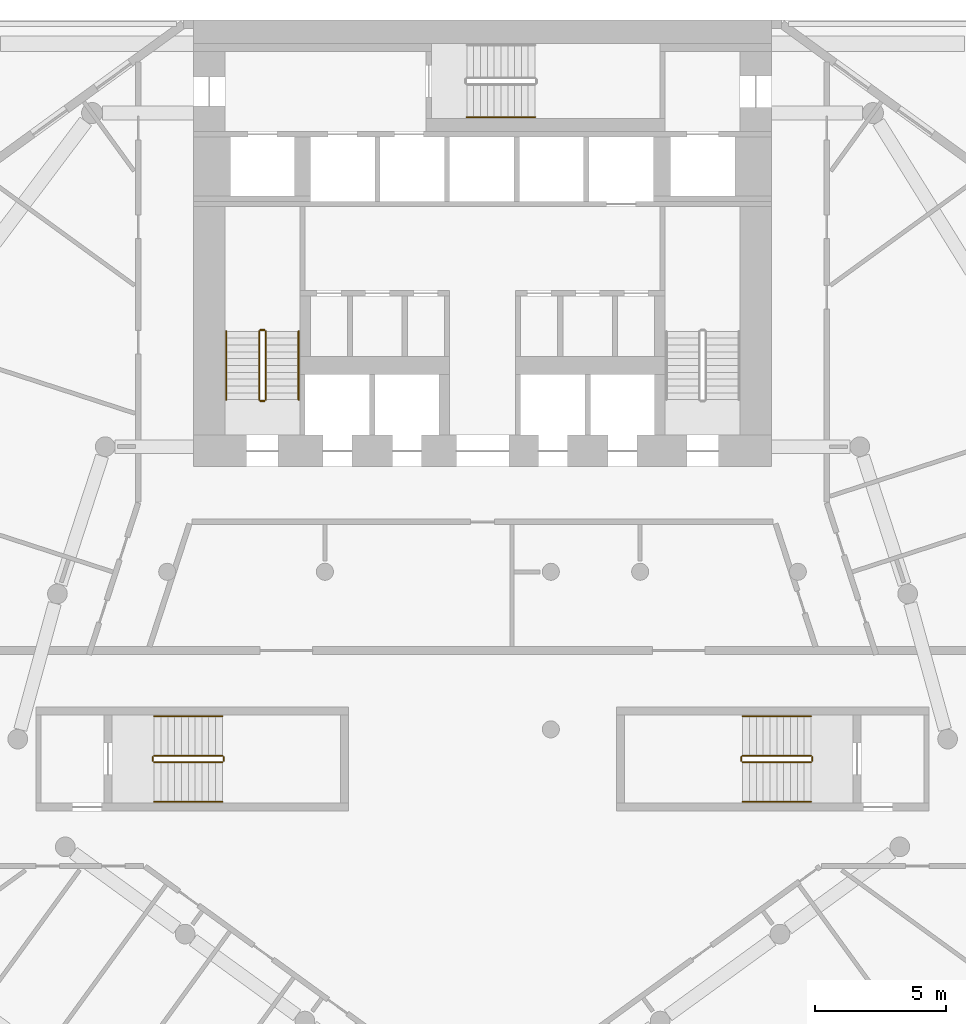
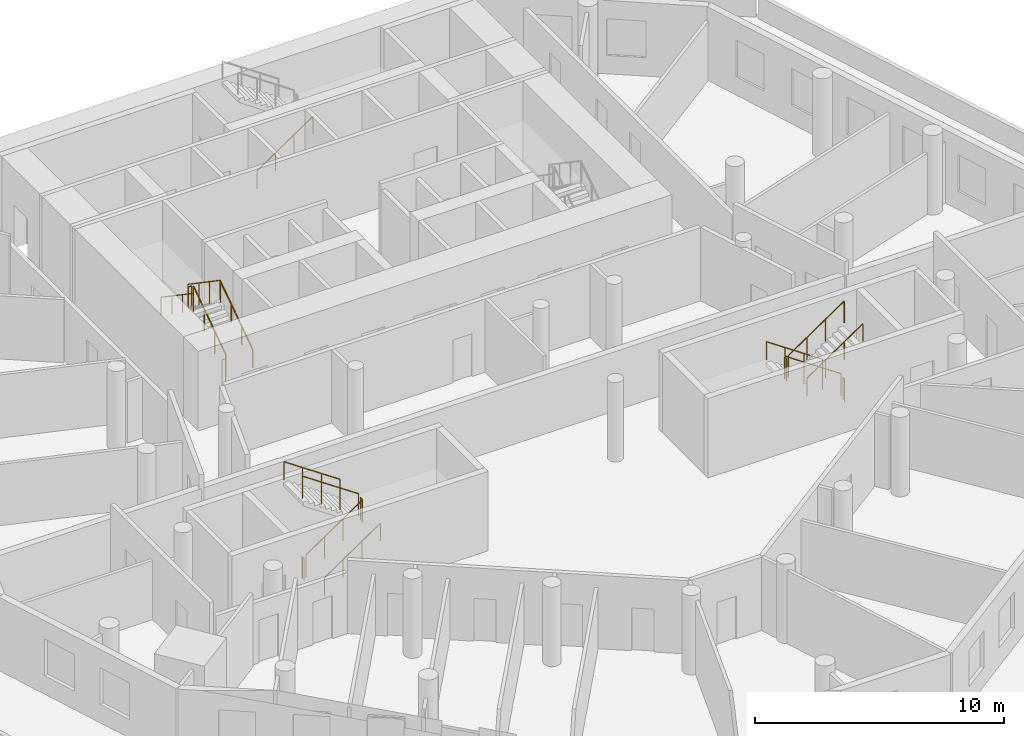
# One storey, part 9 of 10: 19 railings.
"""IFC4 building model written with IfcOpenShell, lengths in metres."""

import ifcopenshell
import ifcopenshell.guid

model = None  # the IFC model being written
_history = None  # IfcOwnerHistory: only IFC2X3 demands one
_inside = {}  # id of a spatial element -> (the spatial element, [elements in it])
_under = {}  # id of a project, library or spatial element -> (it, [spatial elements below it])
_declared = {}  # id of a project -> (the project, [libraries it declares])
_typed = {}  # id of a type object -> (the type object, [elements of that type])
_made_of = {}  # id of a material, layer set ... -> (it, [elements and type objects made of it])


def new_model(schema):
    """Start an empty IFC model of exactly this schema.

    Asked for "IFC4X3", IfcOpenShell would pick the latest addendum, in which some entities
    have other attributes; the version numbers below select the first issue.
    IFC2X3 requires an IfcOwnerHistory on every rooted entity: one is made here for all.
    """
    global model, _history
    if schema == "IFC4X3":
        model = ifcopenshell.file(schema_version=(4, 3, 0, 0))
    else:
        model = ifcopenshell.file(schema=schema)
    _inside.clear()
    _under.clear()
    _declared.clear()
    _typed.clear()
    _made_of.clear()
    _history = None
    if model.schema == "IFC2X3":
        org = make("IfcOrganization", Name="unknown")
        user = make(
            "IfcPersonAndOrganization",
            ThePerson=make("IfcPerson", FamilyName="unknown"),
            TheOrganization=org,
        )
        app = make(
            "IfcApplication",
            ApplicationDeveloper=org,
            Version="unknown",
            ApplicationFullName="unknown",
            ApplicationIdentifier="unknown",
        )
        _history = make(
            "IfcOwnerHistory",
            OwningUser=user,
            OwningApplication=app,
            ChangeAction="ADDED",
            CreationDate=0,
        )
    return model


def make(cls, **values):
    """One entity of the class cls with the attributes given. An attribute that is None is left unset."""
    return model.create_entity(
        cls, **{name: value for name, value in values.items() if value is not None}
    )


def rooted(cls, **values):
    """An entity with a GlobalId (a new one), such as an element, a storey or a relation."""
    return make(cls, GlobalId=ifcopenshell.guid.new(), OwnerHistory=_history, **values)


def si_unit(unit_type, name, prefix=None):
    """IfcSIUnit, for example si_unit("LENGTHUNIT", "METRE", prefix="MILLI")."""
    return make("IfcSIUnit", UnitType=unit_type, Prefix=prefix, Name=name)


def assignment(units):
    """IfcUnitAssignment: the units of a project."""
    return None if units is None else make("IfcUnitAssignment", Units=units)


def point(xyz):
    """IfcCartesianPoint."""
    return None if xyz is None else make("IfcCartesianPoint", Coordinates=xyz)


def direction(xyz):
    """IfcDirection."""
    return None if xyz is None else make("IfcDirection", DirectionRatios=xyz)


def frame(location, z_axis=None, x_axis=None):
    """IfcAxis2Placement3D, a coordinate frame: its origin and axes. An axis left out is left unset."""
    return make(
        "IfcAxis2Placement3D",
        Location=point(location),
        Axis=direction(z_axis),
        RefDirection=direction(x_axis),
    )


def frame_2d(location, x_axis=None):
    """IfcAxis2Placement2D, a coordinate frame in the plane: its origin and x axis."""
    return make(
        "IfcAxis2Placement2D", Location=point(location), RefDirection=direction(x_axis)
    )


def origin():
    """The frame at (0, 0, 0) with its axes left unset."""
    return frame((0.0, 0.0, 0.0))


def origin_2d():
    """The frame at (0, 0) in the plane with its x axis left unset."""
    return frame_2d((0.0, 0.0))


def place(relative_to, where):
    """IfcLocalPlacement: puts the frame where relative to a parent placement (None: the world)."""
    return make(
        "IfcLocalPlacement", PlacementRelTo=relative_to, RelativePlacement=where
    )


def context(
    kind, dimensions, precision=None, world=None, true_north=None, identifier=None
):
    """IfcGeometricRepresentationContext, for example the 3D "Model" context."""
    return make(
        "IfcGeometricRepresentationContext",
        ContextIdentifier=identifier,
        ContextType=kind,
        CoordinateSpaceDimension=dimensions,
        Precision=precision,
        WorldCoordinateSystem=world,
        TrueNorth=true_north,
    )


def subcontext(parent, identifier, kind, view, scale=None):
    """IfcGeometricRepresentationSubContext, for example "Body" below "Model"."""
    return make(
        "IfcGeometricRepresentationSubContext",
        ContextIdentifier=identifier,
        ContextType=kind,
        ParentContext=parent,
        TargetScale=scale,
        TargetView=view,
    )


def project(units=None, contexts=None):
    """IfcProject with its units and contexts."""
    return rooted(
        "IfcProject",
        Name="project",
        RepresentationContexts=contexts,
        UnitsInContext=assignment(units),
    )


def spatial(cls, under=None, at=None, **own):
    """A site, building, storey or space (cls), placed at a placement, below another one or the project."""
    s = rooted(cls, ObjectPlacement=at, **own)
    if under is not None:
        _under.setdefault(under.id(), (under, []))[1].append(s)
    return s


def profile(cls, at=None, kind="AREA", **sizes):
    """A parametric profile (cls). Its sizes go by their IFC names, for example OverallWidth=200.0."""
    return make(cls, ProfileType=kind, Position=at, **sizes)


def circle(**sizes):
    """IfcCircleProfileDef."""
    return profile("IfcCircleProfileDef", **sizes)


def extrude(swept, where, along, depth):
    """IfcExtrudedAreaSolid: the profile swept, set in the frame where, extruded along a direction by depth."""
    return make(
        "IfcExtrudedAreaSolid",
        SweptArea=swept,
        Position=where,
        ExtrudedDirection=direction(along),
        Depth=depth,
    )


def shape(context_of_items, identifier, shape_type, items):
    """IfcShapeRepresentation: the items that make up one representation, for example the "Body"."""
    return make(
        "IfcShapeRepresentation",
        ContextOfItems=context_of_items,
        RepresentationIdentifier=identifier,
        RepresentationType=shape_type,
        Items=items,
    )


def material(Name=None, Category=None):
    """IfcMaterial."""
    return make("IfcMaterial", Name=Name, Category=Category)


def made_of(thing, what):
    """Note that an element or type object is made of a material, layer set ...; save() writes the relation."""
    if what is not None:
        _made_of.setdefault(what.id(), (what, []))[1].append(thing)
    return thing


def type_object(cls, material=None, **own):
    """A type object (cls), such as IfcWallType, which elements share."""
    return made_of(rooted(cls, **own), material)


def element(
    cls,
    number,
    at=None,
    inside=None,
    cuts=None,
    type_object=None,
    material=None,
    context=None,
    identifier="Body",
    shape_type=None,
    held_by="IfcProductDefinitionShape",
    body=None,
    shapes=None,
    **own,
):
    """One element of the class cls, such as IfcWall. Its Tag is "e" and its number.

    at: its placement. inside: the storey or other place that contains it. cuts: it is an
    opening in that element (IfcRelVoidsElement). A single representation is given by context,
    identifier, shape_type and body (its items); several are given by shapes. held_by: the class
    of the entity that holds the representations. save() writes the other relations.
    """
    e = rooted(cls, Tag="e%d" % number, ObjectPlacement=at, **own)
    if body is not None:
        shapes = [shape(context, identifier, shape_type, body)]
    if shapes is not None:
        e.Representation = make(held_by, Representations=shapes)
    if inside is not None:
        _inside.setdefault(inside.id(), (inside, []))[1].append(e)
    if cuts is not None:
        rooted(
            "IfcRelVoidsElement", RelatingBuildingElement=cuts, RelatedOpeningElement=e
        )
    if type_object is not None:
        _typed.setdefault(type_object.id(), (type_object, []))[1].append(e)
    return made_of(e, material)


def aggregate(whole, parts):
    """IfcRelAggregates: a whole, such as a stair, and the parts it consists of."""
    return rooted("IfcRelAggregates", RelatingObject=whole, RelatedObjects=parts)


def save(model, path):
    """Write the relations noted so far, then the file.

    IfcRelAggregates (storeys below a building ...), IfcRelContainedInSpatialStructure (elements
    in a storey), IfcRelDefinesByType, IfcRelAssociatesMaterial and IfcRelDeclares: one each for
    every whole, place, type object, material and project.
    """
    for whole, parts in _under.values():
        aggregate(whole, parts)
    for where, things in _inside.values():
        rooted(
            "IfcRelContainedInSpatialStructure",
            RelatedElements=things,
            RelatingStructure=where,
        )
    for kind, things in _typed.values():
        rooted("IfcRelDefinesByType", RelatedObjects=things, RelatingType=kind)
    for what, things in _made_of.values():
        rooted("IfcRelAssociatesMaterial", RelatedObjects=things, RelatingMaterial=what)
    for by, libraries in _declared.values():
        rooted("IfcRelDeclares", RelatingContext=by, RelatedDefinitions=libraries)
    model.write(path)


model = new_model("IFC4")

# Units and contexts
model_context = context("Model", 3, precision=1e-05, world=origin(), true_north=direction((0.0, 1.0)))
body_context = subcontext(model_context, "Body", "Model", "MODEL_VIEW")
ifc_project = project(units=[si_unit("LENGTHUNIT", "METRE"), si_unit("AREAUNIT", "SQUARE_METRE"), si_unit("VOLUMEUNIT", "CUBIC_METRE"), si_unit("PLANEANGLEUNIT", "RADIAN"), si_unit("MASSUNIT", "GRAM", prefix="KILO")], contexts=[model_context])

# Site, building, storey
site_placement = place(None, origin())
site = spatial("IfcSite", under=ifc_project, at=site_placement, CompositionType="ELEMENT")
building_placement = place(site_placement, origin())
building = spatial("IfcBuilding", under=site, at=building_placement, Name="White Candle Pilgrim Tower", CompositionType="ELEMENT")
storey_placement = place(building_placement, frame((0.0, 0.0, 39.0)))
storey = spatial("IfcBuildingStorey", under=building, at=storey_placement, Name="L06", CompositionType="ELEMENT", Elevation=39.0)

# Railings
ifc_material = material(Name="Stainless steel", Category="steel")
railing_type_1 = type_object("IfcRailingType", Name="Stair guard stainless steel 1100 mm", PredefinedType="GUARDRAIL", material=ifc_material)
railing_1_placement = place(storey_placement, frame((61.75, 73.550048828125, 0.17724609375)))
element("IfcRailing", 1, at=railing_1_placement, inside=storey, type_object=railing_type_1, Name="L06 ST1 stair guard 1", PredefinedType="GUARDRAIL", context=body_context, shape_type="SweptSolid", body=[
    extrude(circle(Radius=0.02392578125, at=origin_2d()), frame((0.0, 0.0, 1.076171875), z_axis=(0.0, 0.826215852431, 0.563353676824), x_axis=(-1.0, 0.0, 0.0)), (0.0, 0.0, 1.0), 3.146728515625),
    extrude(circle(Radius=0.02099609375, at=origin_2d()), origin(), (0.0, 0.0, 1.0), 1.052001953125),
    extrude(circle(Radius=0.02099609375, at=origin_2d()), frame((0.0, 0.86669921875, 0.5908203125)), (0.0, 0.0, 1.0), 1.052001953125),
    extrude(circle(Radius=0.02099609375, at=origin_2d()), frame((0.0, 1.733154296875, 1.181884765625)), (0.0, 0.0, 1.0), 1.052001953125),
    extrude(circle(Radius=0.02099609375, at=origin_2d()), frame((0.0, 2.599853515625, 1.772705078125)), (0.0, 0.0, 1.0), 1.052001953125),
])
railing_2_placement = place(storey_placement, frame((61.699951171875, 76.199951171875, 1.949951171875)))
element("IfcRailing", 2, at=railing_2_placement, inside=storey, type_object=railing_type_1, Name="L06 ST1 stair guard 2", PredefinedType="GUARDRAIL", context=body_context, shape_type="SweptSolid", body=[
    extrude(circle(Radius=0.02392578125, at=origin_2d()), frame((0.0, 0.0, 1.076171875), z_axis=(-1.0, 0.0, 0.0), x_axis=(0.0, -1.0, 0.0)), (0.0, 0.0, 1.0), 0.14990234375),
    extrude(circle(Radius=0.02099609375, at=origin_2d()), origin(), (0.0, 0.0, 1.0), 1.052001953125),
    extrude(circle(Radius=0.02099609375, at=origin_2d()), frame((-0.14990234375, 0.0, 0.0)), (0.0, 0.0, 1.0), 1.052001953125),
])
railing_3_placement = place(storey_placement, frame((61.5, 76.14990234375, 2.127197265625)))
element("IfcRailing", 3, at=railing_3_placement, inside=storey, type_object=railing_type_1, Name="L06 ST1 stair guard 3", PredefinedType="GUARDRAIL", context=body_context, shape_type="SweptSolid", body=[
    extrude(circle(Radius=0.02392578125, at=origin_2d()), frame((0.0, 0.0, 1.076171875), z_axis=(0.0, -0.826215852431, 0.563353676824), x_axis=(1.0, 0.0, 0.0)), (0.0, 0.0, 1.0), 3.146728515625),
    extrude(circle(Radius=0.02099609375, at=origin_2d()), origin(), (0.0, 0.0, 1.0), 1.052001953125),
    extrude(circle(Radius=0.02099609375, at=origin_2d()), frame((0.0, -0.86669921875, 0.5908203125)), (0.0, 0.0, 1.0), 1.052001953125),
    extrude(circle(Radius=0.02099609375, at=origin_2d()), frame((0.0, -1.733154296875, 1.181884765625)), (0.0, 0.0, 1.0), 1.052001953125),
    extrude(circle(Radius=0.02099609375, at=origin_2d()), frame((0.0, -2.599853515625, 1.772705078125)), (0.0, 0.0, 1.0), 1.052001953125),
])
railing_4_placement = place(storey_placement, frame((61.699951171875, 73.5, 0.0)))
element("IfcRailing", 4, at=railing_4_placement, inside=storey, type_object=railing_type_1, Name="L06 ST1 stair guard 4", PredefinedType="GUARDRAIL", context=body_context, shape_type="SweptSolid", body=[
    extrude(circle(Radius=0.02392578125, at=origin_2d()), frame((0.0, 0.0, 1.076171875), z_axis=(-1.0, 0.0, 0.0), x_axis=(0.0, -1.0, 0.0)), (0.0, 0.0, 1.0), 0.14990234375),
    extrude(circle(Radius=0.02099609375, at=origin_2d()), origin(), (0.0, 0.0, 1.0), 1.052001953125),
    extrude(circle(Radius=0.02099609375, at=origin_2d()), frame((-0.14990234375, 0.0, 0.0)), (0.0, 0.0, 1.0), 1.052001953125),
])
railing_5_placement = place(storey_placement, frame((82.5, 60.0, 0.17724609375)))
element("IfcRailing", 5, at=railing_5_placement, inside=storey, type_object=railing_type_1, Name="L06 ST4 stair guard 1", PredefinedType="GUARDRAIL", context=body_context, shape_type="SweptSolid", body=[
    extrude(circle(Radius=0.02392578125, at=origin_2d()), frame((0.0, 0.0, 1.076171875), z_axis=(-0.826240473404, 0.0, 0.563317565952), x_axis=(0.0, -1.0, 0.0)), (0.0, 0.0, 1.0), 3.14697265625),
    extrude(circle(Radius=0.02099609375, at=origin_2d()), origin(), (0.0, 0.0, 1.0), 1.052001953125),
    extrude(circle(Radius=0.02099609375, at=origin_2d()), frame((-0.86669921875, 0.0, 0.5908203125)), (0.0, 0.0, 1.0), 1.052001953125),
    extrude(circle(Radius=0.02099609375, at=origin_2d()), frame((-1.7333984375, 0.0, 1.181884765625)), (0.0, 0.0, 1.0), 1.052001953125),
    extrude(circle(Radius=0.02099609375, at=origin_2d()), frame((-2.60009765625, 0.0, 1.772705078125)), (0.0, 0.0, 1.0), 1.052001953125),
])
railing_6_placement = place(storey_placement, frame((79.85009765625, 59.949951171875, 1.949951171875)))
element("IfcRailing", 6, at=railing_6_placement, inside=storey, type_object=railing_type_1, Name="L06 ST4 stair guard 2", PredefinedType="GUARDRAIL", context=body_context, shape_type="SweptSolid", body=[
    extrude(circle(Radius=0.02392578125, at=origin_2d()), frame((0.0, 0.0, 1.076171875), z_axis=(0.0, -1.0, 0.0), x_axis=(1.0, 0.0, 0.0)), (0.0, 0.0, 1.0), 0.14990234375),
    extrude(circle(Radius=0.02099609375, at=origin_2d()), origin(), (0.0, 0.0, 1.0), 1.052001953125),
    extrude(circle(Radius=0.02099609375, at=origin_2d()), frame((0.0, -0.14990234375, 0.0)), (0.0, 0.0, 1.0), 1.052001953125),
])
railing_7_placement = place(storey_placement, frame((79.89990234375, 59.75, 2.127197265625)))
element("IfcRailing", 7, at=railing_7_placement, inside=storey, type_object=railing_type_1, Name="L06 ST4 stair guard 3", PredefinedType="GUARDRAIL", context=body_context, shape_type="SweptSolid", body=[
    extrude(circle(Radius=0.02392578125, at=origin_2d()), frame((0.0, 0.0, 1.076171875), z_axis=(0.826240473404, 0.0, 0.563317565952), x_axis=(0.0, 1.0, 0.0)), (0.0, 0.0, 1.0), 3.14697265625),
    extrude(circle(Radius=0.02099609375, at=origin_2d()), origin(), (0.0, 0.0, 1.0), 1.052001953125),
    extrude(circle(Radius=0.02099609375, at=origin_2d()), frame((0.86669921875, 0.0, 0.5908203125)), (0.0, 0.0, 1.0), 1.052001953125),
    extrude(circle(Radius=0.02099609375, at=origin_2d()), frame((1.7333984375, 0.0, 1.181884765625)), (0.0, 0.0, 1.0), 1.052001953125),
    extrude(circle(Radius=0.02099609375, at=origin_2d()), frame((2.60009765625, 0.0, 1.772705078125)), (0.0, 0.0, 1.0), 1.052001953125),
])
railing_8_placement = place(storey_placement, frame((82.550048828125, 59.949951171875, 0.0)))
element("IfcRailing", 8, at=railing_8_placement, inside=storey, type_object=railing_type_1, Name="L06 ST4 stair guard 4", PredefinedType="GUARDRAIL", context=body_context, shape_type="SweptSolid", body=[
    extrude(circle(Radius=0.02392578125, at=origin_2d()), frame((0.0, 0.0, 1.076171875), z_axis=(0.0, -1.0, 0.0), x_axis=(1.0, 0.0, 0.0)), (0.0, 0.0, 1.0), 0.14990234375),
    extrude(circle(Radius=0.02099609375, at=origin_2d()), origin(), (0.0, 0.0, 1.0), 1.052001953125),
    extrude(circle(Radius=0.02099609375, at=origin_2d()), frame((0.0, -0.14990234375, 0.0)), (0.0, 0.0, 1.0), 1.052001953125),
])
railing_9_placement = place(storey_placement, frame((57.5, 59.75, 0.17724609375)))
element("IfcRailing", 9, at=railing_9_placement, inside=storey, type_object=railing_type_1, Name="L06 ST5 stair guard 1", PredefinedType="GUARDRAIL", context=body_context, shape_type="SweptSolid", body=[
    extrude(circle(Radius=0.02392578125, at=origin_2d()), frame((0.0, 0.0, 1.076171875), z_axis=(0.826240473404, 0.0, 0.563317565952), x_axis=(0.0, 1.0, 0.0)), (0.0, 0.0, 1.0), 3.14697265625),
    extrude(circle(Radius=0.02099609375, at=origin_2d()), origin(), (0.0, 0.0, 1.0), 1.052001953125),
    extrude(circle(Radius=0.02099609375, at=origin_2d()), frame((0.86669921875, 0.0, 0.5908203125)), (0.0, 0.0, 1.0), 1.052001953125),
    extrude(circle(Radius=0.02099609375, at=origin_2d()), frame((1.7333984375, 0.0, 1.181884765625)), (0.0, 0.0, 1.0), 1.052001953125),
    extrude(circle(Radius=0.02099609375, at=origin_2d()), frame((2.60009765625, 0.0, 1.772705078125)), (0.0, 0.0, 1.0), 1.052001953125),
])
railing_10_placement = place(storey_placement, frame((60.14990234375, 59.800048828125, 1.949951171875)))
element("IfcRailing", 10, at=railing_10_placement, inside=storey, type_object=railing_type_1, Name="L06 ST5 stair guard 2", PredefinedType="GUARDRAIL", context=body_context, shape_type="SweptSolid", body=[
    extrude(circle(Radius=0.02392578125, at=origin_2d()), frame((0.0, 0.0, 1.076171875), z_axis=(0.0, 1.0, 0.0), x_axis=(-1.0, 0.0, 0.0)), (0.0, 0.0, 1.0), 0.14990234375),
    extrude(circle(Radius=0.02099609375, at=origin_2d()), origin(), (0.0, 0.0, 1.0), 1.052001953125),
    extrude(circle(Radius=0.02099609375, at=origin_2d()), frame((0.0, 0.14990234375, 0.0)), (0.0, 0.0, 1.0), 1.052001953125),
])
railing_11_placement = place(storey_placement, frame((60.10009765625, 60.0, 2.127197265625)))
element("IfcRailing", 11, at=railing_11_placement, inside=storey, type_object=railing_type_1, Name="L06 ST5 stair guard 3", PredefinedType="GUARDRAIL", context=body_context, shape_type="SweptSolid", body=[
    extrude(circle(Radius=0.02392578125, at=origin_2d()), frame((0.0, 0.0, 1.076171875), z_axis=(-0.826240473404, 0.0, 0.563317565952), x_axis=(0.0, -1.0, 0.0)), (0.0, 0.0, 1.0), 3.14697265625),
    extrude(circle(Radius=0.02099609375, at=origin_2d()), origin(), (0.0, 0.0, 1.0), 1.052001953125),
    extrude(circle(Radius=0.02099609375, at=origin_2d()), frame((-0.86669921875, 0.0, 0.5908203125)), (0.0, 0.0, 1.0), 1.052001953125),
    extrude(circle(Radius=0.02099609375, at=origin_2d()), frame((-1.7333984375, 0.0, 1.181884765625)), (0.0, 0.0, 1.0), 1.052001953125),
    extrude(circle(Radius=0.02099609375, at=origin_2d()), frame((-2.60009765625, 0.0, 1.772705078125)), (0.0, 0.0, 1.0), 1.052001953125),
])
railing_12_placement = place(storey_placement, frame((57.449951171875, 59.800048828125, 0.0)))
element("IfcRailing", 12, at=railing_12_placement, inside=storey, type_object=railing_type_1, Name="L06 ST5 stair guard 4", PredefinedType="GUARDRAIL", context=body_context, shape_type="SweptSolid", body=[
    extrude(circle(Radius=0.02392578125, at=origin_2d()), frame((0.0, 0.0, 1.076171875), z_axis=(0.0, 1.0, 0.0), x_axis=(-1.0, 0.0, 0.0)), (0.0, 0.0, 1.0), 0.14990234375),
    extrude(circle(Radius=0.02099609375, at=origin_2d()), origin(), (0.0, 0.0, 1.0), 1.052001953125),
    extrude(circle(Radius=0.02099609375, at=origin_2d()), frame((0.0, 0.14990234375, 0.0)), (0.0, 0.0, 1.0), 1.052001953125),
])
railing_type_2 = type_object("IfcRailingType", Name="Stair handrail stainless steel", PredefinedType="HANDRAIL", material=ifc_material)
railing_13_placement = place(storey_placement, frame((63.0, 73.550048828125, 0.17724609375)))
element("IfcRailing", 13, at=railing_13_placement, inside=storey, type_object=railing_type_2, Name="L06 ST1 stair handrail 1", PredefinedType="HANDRAIL", context=body_context, shape_type="SweptSolid", body=[
    extrude(circle(Radius=0.02392578125, at=origin_2d()), frame((0.0, 0.0, 0.8759765625), z_axis=(0.0, 0.826215852431, 0.563353676824), x_axis=(-1.0, 0.0, 0.0)), (0.0, 0.0, 1.0), 3.146728515625),
    extrude(circle(Radius=0.02099609375, at=origin_2d()), origin(), (0.0, 0.0, 1.0), 0.851806640625),
    extrude(circle(Radius=0.02099609375, at=origin_2d()), frame((0.0, 0.86669921875, 0.5908203125)), (0.0, 0.0, 1.0), 0.851806640625),
    extrude(circle(Radius=0.02099609375, at=origin_2d()), frame((0.0, 1.733154296875, 1.181884765625)), (0.0, 0.0, 1.0), 0.851806640625),
    extrude(circle(Radius=0.02099609375, at=origin_2d()), frame((0.0, 2.599853515625, 1.772705078125)), (0.0, 0.0, 1.0), 0.851806640625),
])
railing_14_placement = place(storey_placement, frame((60.25, 76.14990234375, 2.127197265625)))
element("IfcRailing", 14, at=railing_14_placement, inside=storey, type_object=railing_type_2, Name="L06 ST1 stair handrail 2", PredefinedType="HANDRAIL", context=body_context, shape_type="SweptSolid", body=[
    extrude(circle(Radius=0.02392578125, at=origin_2d()), frame((0.0, 0.0, 0.8759765625), z_axis=(0.0, -0.826215852431, 0.563353676824), x_axis=(1.0, 0.0, 0.0)), (0.0, 0.0, 1.0), 3.146728515625),
    extrude(circle(Radius=0.02099609375, at=origin_2d()), origin(), (0.0, 0.0, 1.0), 0.851806640625),
    extrude(circle(Radius=0.02099609375, at=origin_2d()), frame((0.0, -0.86669921875, 0.5908203125)), (0.0, 0.0, 1.0), 0.851806640625),
    extrude(circle(Radius=0.02099609375, at=origin_2d()), frame((0.0, -1.733154296875, 1.181884765625)), (0.0, 0.0, 1.0), 0.851806640625),
    extrude(circle(Radius=0.02099609375, at=origin_2d()), frame((0.0, -2.599853515625, 1.772705078125)), (0.0, 0.0, 1.0), 0.851806640625),
])
railing_15_placement = place(storey_placement, frame((69.39990234375, 84.300048828125, 0.17724609375)))
element("IfcRailing", 15, at=railing_15_placement, inside=storey, type_object=railing_type_2, Name="L06 ST3 stair handrail 1", PredefinedType="HANDRAIL", context=body_context, shape_type="SweptSolid", body=[
    extrude(circle(Radius=0.02392578125, at=origin_2d()), frame((0.0, 0.0, 0.8759765625), z_axis=(0.826240473404, 0.0, 0.563317565952), x_axis=(0.0, 1.0, 0.0)), (0.0, 0.0, 1.0), 3.14697265625),
    extrude(circle(Radius=0.02099609375, at=origin_2d()), origin(), (0.0, 0.0, 1.0), 0.851806640625),
    extrude(circle(Radius=0.02099609375, at=origin_2d()), frame((0.86669921875, 0.0, 0.5908203125)), (0.0, 0.0, 1.0), 0.851806640625),
    extrude(circle(Radius=0.02099609375, at=origin_2d()), frame((1.7333984375, 0.0, 1.181884765625)), (0.0, 0.0, 1.0), 0.851806640625),
    extrude(circle(Radius=0.02099609375, at=origin_2d()), frame((2.60009765625, 0.0, 1.772705078125)), (0.0, 0.0, 1.0), 0.851806640625),
])
railing_16_placement = place(storey_placement, frame((82.5, 61.5, 0.17724609375)))
element("IfcRailing", 16, at=railing_16_placement, inside=storey, type_object=railing_type_2, Name="L06 ST4 stair handrail 1", PredefinedType="HANDRAIL", context=body_context, shape_type="SweptSolid", body=[
    extrude(circle(Radius=0.02392578125, at=origin_2d()), frame((0.0, 0.0, 0.8759765625), z_axis=(-0.826240473404, 0.0, 0.563317565952), x_axis=(0.0, -1.0, 0.0)), (0.0, 0.0, 1.0), 3.14697265625),
    extrude(circle(Radius=0.02099609375, at=origin_2d()), origin(), (0.0, 0.0, 1.0), 0.851806640625),
    extrude(circle(Radius=0.02099609375, at=origin_2d()), frame((-0.86669921875, 0.0, 0.5908203125)), (0.0, 0.0, 1.0), 0.851806640625),
    extrude(circle(Radius=0.02099609375, at=origin_2d()), frame((-1.7333984375, 0.0, 1.181884765625)), (0.0, 0.0, 1.0), 0.851806640625),
    extrude(circle(Radius=0.02099609375, at=origin_2d()), frame((-2.60009765625, 0.0, 1.772705078125)), (0.0, 0.0, 1.0), 0.851806640625),
])
for number, where, name in (
    (17, (79.89990234375, 58.25, 2.127197265625), "L06 ST4 stair handrail 2"),
    (18, (57.5, 58.25, 0.17724609375), "L06 ST5 stair handrail 1"),
):
    element("IfcRailing", number, at=place(storey_placement, frame(where)), inside=storey, type_object=railing_type_2, Name=name, PredefinedType="HANDRAIL", context=body_context, shape_type="SweptSolid", body=[
        extrude(circle(Radius=0.02392578125, at=origin_2d()), frame((0.0, 0.0, 0.8759765625), z_axis=(0.826240473404, 0.0, 0.563317565952), x_axis=(0.0, 1.0, 0.0)), (0.0, 0.0, 1.0), 3.14697265625),
        extrude(circle(Radius=0.02099609375, at=origin_2d()), origin(), (0.0, 0.0, 1.0), 0.851806640625),
        extrude(circle(Radius=0.02099609375, at=origin_2d()), frame((0.86669921875, 0.0, 0.5908203125)), (0.0, 0.0, 1.0), 0.851806640625),
        extrude(circle(Radius=0.02099609375, at=origin_2d()), frame((1.7333984375, 0.0, 1.181884765625)), (0.0, 0.0, 1.0), 0.851806640625),
        extrude(circle(Radius=0.02099609375, at=origin_2d()), frame((2.60009765625, 0.0, 1.772705078125)), (0.0, 0.0, 1.0), 0.851806640625),
    ])
railing_17_placement = place(storey_placement, frame((60.10009765625, 61.5, 2.127197265625)))
element("IfcRailing", 19, at=railing_17_placement, inside=storey, type_object=railing_type_2, Name="L06 ST5 stair handrail 2", PredefinedType="HANDRAIL", context=body_context, shape_type="SweptSolid", body=[
    extrude(circle(Radius=0.02392578125, at=origin_2d()), frame((0.0, 0.0, 0.8759765625), z_axis=(-0.826240473404, 0.0, 0.563317565952), x_axis=(0.0, -1.0, 0.0)), (0.0, 0.0, 1.0), 3.14697265625),
    extrude(circle(Radius=0.02099609375, at=origin_2d()), origin(), (0.0, 0.0, 1.0), 0.851806640625),
    extrude(circle(Radius=0.02099609375, at=origin_2d()), frame((-0.86669921875, 0.0, 0.5908203125)), (0.0, 0.0, 1.0), 0.851806640625),
    extrude(circle(Radius=0.02099609375, at=origin_2d()), frame((-1.7333984375, 0.0, 1.181884765625)), (0.0, 0.0, 1.0), 0.851806640625),
    extrude(circle(Radius=0.02099609375, at=origin_2d()), frame((-2.60009765625, 0.0, 1.772705078125)), (0.0, 0.0, 1.0), 0.851806640625),
])

save(model, "model.ifc")
